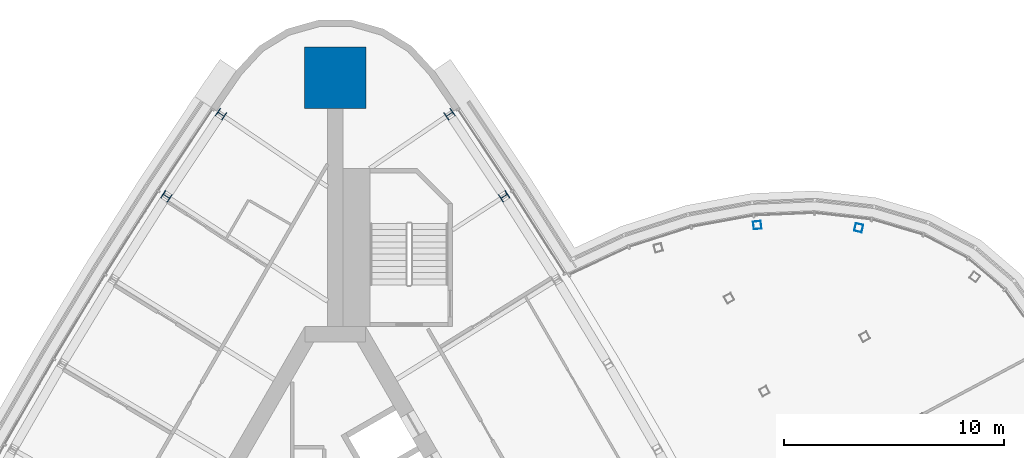
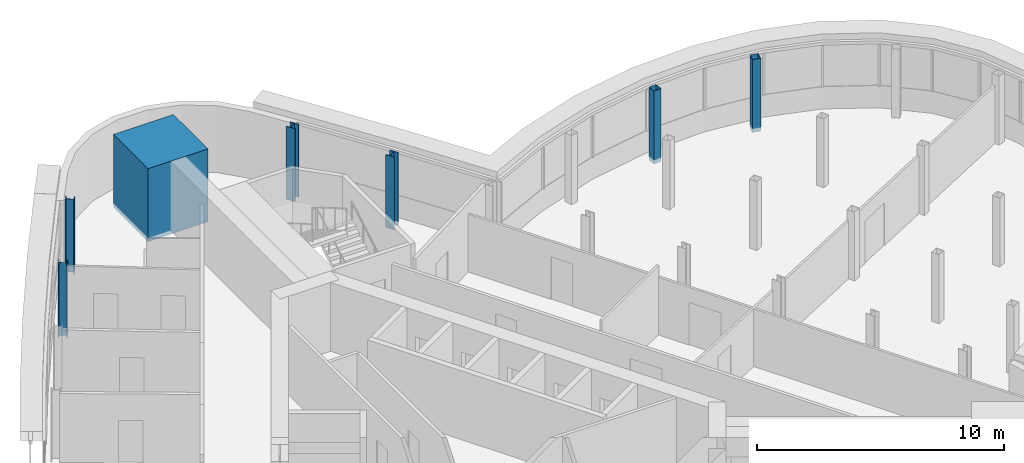
# One storey, part 3 of 15: 7 columns.
"""IFC4 building model written with IfcOpenShell, lengths in metres."""

from ifc_helpers import new_model, si_unit, direction, frame, origin, origin_2d, place, context, subcontext, project, spatial, rectangle, hollow_rectangle, i_section, extrude, material, material_profile, profile_set, type_object, element, save


model = new_model("IFC4")

# Units and contexts
model_context = context("Model", 3, precision=1e-05, world=origin(), true_north=direction((0.0, 1.0)))
body_context = subcontext(model_context, "Body", "Model", "MODEL_VIEW")
ifc_project = project(units=[si_unit("LENGTHUNIT", "METRE"), si_unit("AREAUNIT", "SQUARE_METRE"), si_unit("VOLUMEUNIT", "CUBIC_METRE"), si_unit("PLANEANGLEUNIT", "RADIAN"), si_unit("MASSUNIT", "GRAM", prefix="KILO")], contexts=[model_context])

# Site, building, storey
site_placement = place(None, origin())
site = spatial("IfcSite", under=ifc_project, at=site_placement, CompositionType="ELEMENT")
building_placement = place(site_placement, origin())
building = spatial("IfcBuilding", under=site, at=building_placement, Name="Noor Cloister Tower", CompositionType="ELEMENT")
storey_placement = place(building_placement, frame((0.0, 0.0, 174.300048828125)))
storey = spatial("IfcBuildingStorey", under=building, at=storey_placement, Name="L44", CompositionType="ELEMENT", Elevation=174.300048828125)

# Columns
ifc_material_1 = material(Name="Steel ASTM A992 Gr 50", Category="steel")
ifc_material_profile_1 = material_profile(ifc_material_1, i_section(OverallWidth=0.39404296875, OverallDepth=0.3759765625, WebThickness=0.017333984375, FlangeThickness=0.027587890625, FilletRadius=0.01513671875, at=origin_2d()), Name="W360x216")
ifc_profile_set_1 = profile_set([ifc_material_profile_1], Name="Steel ASTM A992 Gr 50")
column_type_1 = type_object("IfcColumnType", Name="Column W360x216", PredefinedType="COLUMN", material=ifc_profile_set_1)
for number, where, z_axis, x_axis, name in (
    (1, (-5.19775390625, 21.123779296875, -0.199951171875), (0.0, 0.0, 1.0), (-0.562771100016, -0.826612780561, 0.0), "Column NW 01 L44"),
    (2, (-7.68408203125, 17.38720703125, -0.199951171875), (0.0, 0.0, 1.0), (-0.545137193542, -0.83834684959, 0.0), "Column NW 02 L44"),
    (3, (7.68408203125, 17.38720703125, -0.199951171875), (0.0, 0.0, 1.0), (-0.545137193542, 0.83834684959, 0.0), "Column NE 07 L44"),
    (4, (5.19775390625, 21.123779296875, -0.199951171875), (0.0, 0.0, 1.0), (-0.562771100016, 0.826612780561, 0.0), "Column NE 08 L44"),
):
    element("IfcColumn", number, at=place(storey_placement, frame(where, z_axis=z_axis, x_axis=x_axis)), inside=storey, type_object=column_type_1, Name=name, PredefinedType="COLUMN", context=body_context, shape_type="SweptSolid", body=[
        extrude(i_section(OverallWidth=0.39404296875, OverallDepth=0.3759765625, WebThickness=0.017333984375, FlangeThickness=0.027587890625, FilletRadius=0.01513671875, at=origin_2d()), origin(), (0.0, 0.0, 1.0), 3.599853515625),
    ])
ifc_material_2 = material(Name="Concrete C70/85", Category="concrete")
ifc_material_profile_2 = material_profile(ifc_material_2, rectangle(XDim=2.800048828125, YDim=2.800048828125, at=origin_2d()), Name="RC 2800x2800")
ifc_profile_set_2 = profile_set([ifc_material_profile_2], Name="Concrete C70/85")
column_type_2 = type_object("IfcColumnType", Name="Corner pier 2800 x 2800 C70/85", PredefinedType="COLUMN", material=ifc_profile_set_2)
column_placement = place(storey_placement, frame((0.0, 22.783935546875, -0.199951171875), z_axis=(0.0, 0.0, 1.0), x_axis=(0.0, 1.0, 0.0)))
element("IfcColumn", 5, at=column_placement, inside=storey, type_object=column_type_2, Name="Corner pier N L44", PredefinedType="COLUMN", context=body_context, shape_type="SweptSolid", body=[
    extrude(rectangle(XDim=2.800048828125, YDim=2.800048828125, at=origin_2d()), origin(), (0.0, 0.0, 1.0), 3.599853515625),
])
ifc_material_3 = material(Name="Steel ASTM A500 Gr C", Category="steel")
ifc_material_profile_3 = material_profile(ifc_material_3, hollow_rectangle(XDim=0.35595703125, YDim=0.35595703125, WallThickness=0.0126953125, at=origin_2d()), Name="HSS355.6x355.6x12.7")
ifc_profile_set_3 = profile_set([ifc_material_profile_3], Name="Steel ASTM A500 Gr C")
column_type_3 = type_object("IfcColumnType", Name="Pod post HSS355.6x355.6x12.7", PredefinedType="COLUMN", material=ifc_profile_set_3)
for number, where, z_axis, x_axis, name in (
    (6, (23.81982421875, 15.95458984375, -0.199951171875), (0.0, 0.0, 1.0), (-0.97270931085, 0.232027146227, 0.0), "Pod post 3 L44 ring 8"),
    (7, (19.203857421875, 16.078369140625, -0.199951171875), (0.0, 0.0, 1.0), (-0.995050087927, -0.099374657313, 0.0), "Pod post 3 L44 ring 9"),
):
    element("IfcColumn", number, at=place(storey_placement, frame(where, z_axis=z_axis, x_axis=x_axis)), inside=storey, type_object=column_type_3, Name=name, PredefinedType="COLUMN", context=body_context, shape_type="SweptSolid", body=[
        extrude(hollow_rectangle(XDim=0.35595703125, YDim=0.35595703125, WallThickness=0.0126953125, at=origin_2d()), origin(), (0.0, 0.0, 1.0), 3.599853515625),
    ])

save(model, "model.ifc")
